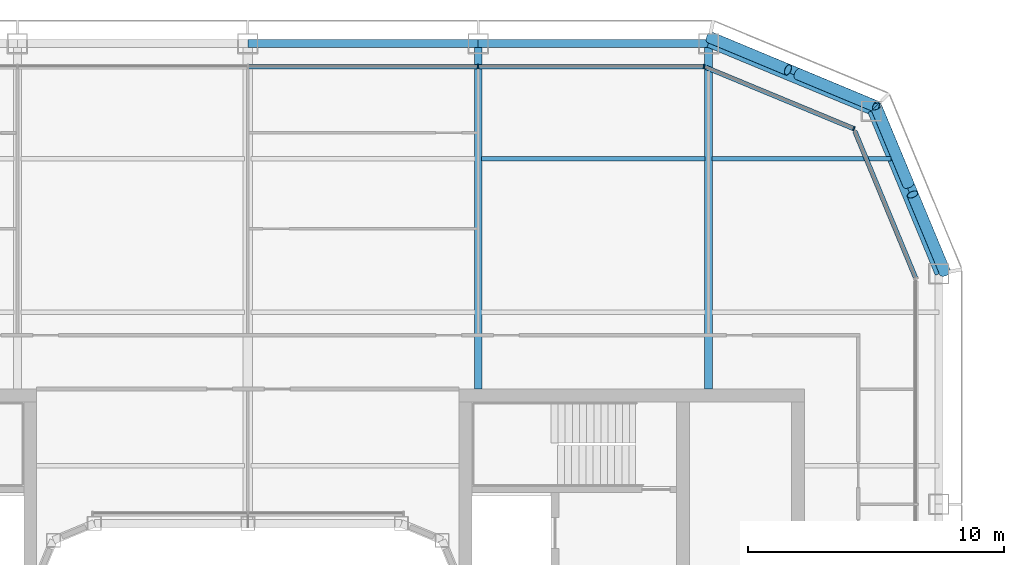
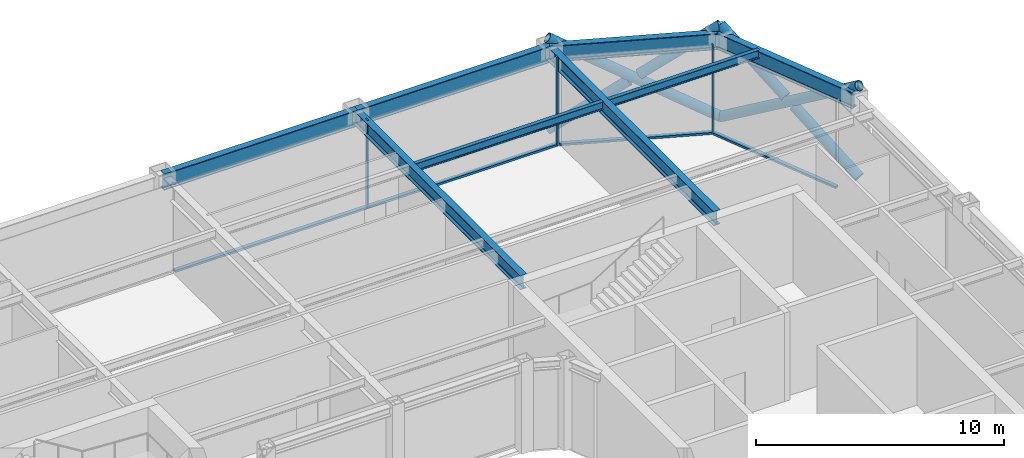
# One storey, part 10 of 23: 13 members, 8 beams, 3 elements without a shape of their own.
"""IFC4 building model written with IfcOpenShell, lengths in metres."""

from ifc_helpers import new_model, si_unit, direction, frame, origin, origin_2d, place, context, subcontext, project, spatial, rectangle, hollow_circle, i_section, extrude, material, layer, layer_set, material_profile, profile_set, type_object, element, aggregate, save


model = new_model("IFC4")

# Units and contexts
model_context = context("Model", 3, precision=1e-05, world=origin(), true_north=direction((0.0, 1.0)))
body_context = subcontext(model_context, "Body", "Model", "MODEL_VIEW")
ifc_project = project(units=[si_unit("LENGTHUNIT", "METRE"), si_unit("AREAUNIT", "SQUARE_METRE"), si_unit("VOLUMEUNIT", "CUBIC_METRE"), si_unit("PLANEANGLEUNIT", "RADIAN"), si_unit("MASSUNIT", "GRAM", prefix="KILO")], contexts=[model_context])

# Site, building, storey
site_placement = place(None, origin())
site = spatial("IfcSite", under=ifc_project, at=site_placement, CompositionType="ELEMENT")
building_placement = place(site_placement, origin())
building = spatial("IfcBuilding", under=site, at=building_placement, Name="Siwar Civic Tower", CompositionType="ELEMENT")
storey_placement = place(building_placement, frame((0.0, 0.0, 237.699951171875)))
storey = spatial("IfcBuildingStorey", under=building, at=storey_placement, Name="L51", CompositionType="ELEMENT", Elevation=237.699951171875)

# Curtain wall, member
ifc_material_1 = material(Name="Aluminium clad insulated panel", Category="aluminium")
ifc_layer_1 = layer(ifc_material_1, 0.179931640625)
ifc_layer_set_1 = layer_set([ifc_layer_1], Name="Aluminium clad insulated panel")
curtain_wall_type_1 = type_object("IfcCurtainWallType", Name="ENV-CW-CX", PredefinedType="NOTDEFINED", material=ifc_layer_set_1)
curtain_wall_1_placement = place(storey_placement, origin())
curtain_wall_1 = element("IfcCurtainWall", 1, at=curtain_wall_1_placement, inside=storey, type_object=curtain_wall_type_1, Name="Curtain wall C NE2", PredefinedType="NOTDEFINED")
ifc_material_2 = material(Name="Aluminium 6063-T6", Category="aluminium")
ifc_material_profile_1 = material_profile(ifc_material_2, rectangle(XDim=0.179931640625, YDim=0.06005859375, at=origin_2d()), Name="AL 180x60")
ifc_profile_set_1 = profile_set([ifc_material_profile_1], Name="Aluminium 6063-T6")
member_type_1 = type_object("IfcMemberType", Name="ENV-MULLION-C", PredefinedType="MULLION", material=ifc_profile_set_1)
member_1_placement = place(storey_placement, frame((23.675048828125, 23.675048828125, 0.0), z_axis=(0.0, 0.0, 1.0), x_axis=(-0.382683432365, -0.923879532511, 0.0)))
member_1 = element("IfcMember", 2, at=member_1_placement, type_object=member_type_1, Name="Mullion C NE2 1", PredefinedType="MULLION", context=body_context, shape_type="SweptSolid", body=[
    extrude(rectangle(XDim=0.179931640625, YDim=0.06005859375, at=origin_2d()), origin(), (0.0, 0.0, 1.0), 4.35009765625),
])

# Curtain wall, members
ifc_material_3 = material(Name="Aluminium and glass", Category="aluminium")
ifc_layer_2 = layer(ifc_material_3, 0.179931640625)
ifc_layer_set_2 = layer_set([ifc_layer_2], Name="Aluminium and glass")
curtain_wall_type_2 = type_object("IfcCurtainWallType", Name="ENV-CW-C", PredefinedType="NOTDEFINED", material=ifc_layer_set_2)
curtain_wall_2_placement = place(storey_placement, origin())
curtain_wall_2 = element("IfcCurtainWall", 3, at=curtain_wall_2_placement, inside=storey, type_object=curtain_wall_type_2, Name="Curtain wall C N", PredefinedType="NOTDEFINED")
member_2_placement = place(storey_placement, frame((17.821044921875, 26.10009765625, 0.0), z_axis=(0.0, 0.0, 1.0), x_axis=(0.0, -1.0, 0.0)))
member_2 = element("IfcMember", 4, at=member_2_placement, type_object=member_type_1, Name="Mullion C N 1", PredefinedType="MULLION", context=body_context, shape_type="SweptSolid", body=[
    extrude(rectangle(XDim=0.179931640625, YDim=0.06005859375, at=origin_2d()), origin(), (0.0, 0.0, 1.0), 4.35009765625),
])
member_3_placement = place(storey_placement, frame((9.0, 26.10009765625, 0.0), z_axis=(0.0, 0.0, 1.0), x_axis=(0.0, -1.0, 0.0)))
member_3 = element("IfcMember", 5, at=member_3_placement, type_object=member_type_1, Name="Mullion C N 2", PredefinedType="MULLION", context=body_context, shape_type="SweptSolid", body=[
    extrude(rectangle(XDim=0.179931640625, YDim=0.06005859375, at=origin_2d()), origin(), (0.0, 0.0, 1.0), 4.35009765625),
])

# Curtain wall, member
curtain_wall_3_placement = place(storey_placement, origin())
curtain_wall_3 = element("IfcCurtainWall", 6, at=curtain_wall_3_placement, inside=storey, type_object=curtain_wall_type_1, Name="Curtain wall C NE1", PredefinedType="NOTDEFINED")
ifc_material_4 = material(Name="Aluminium 6063-T6", Category="aluminium")
ifc_material_profile_2 = material_profile(ifc_material_4, rectangle(XDim=0.179931640625, YDim=0.10009765625, at=origin_2d()), Name="AL 180x100")
ifc_profile_set_2 = profile_set([ifc_material_profile_2], Name="Aluminium 6063-T6")
member_type_2 = type_object("IfcMemberType", Name="ENV-TRANSOM-C", PredefinedType="USERDEFINED", material=ifc_profile_set_2)
member_4_placement = place(storey_placement, frame((26.088623046875, 17.8486328125, 0.050048828125), z_axis=(-0.38267744817, 0.923882011223, 0.0), x_axis=(-0.923882011223, -0.38267744817, 0.0)))
member_4 = element("IfcMember", 7, at=member_4_placement, type_object=member_type_2, Name="Transom C NE1 1", ObjectType="TRANSOM", PredefinedType="USERDEFINED", context=body_context, shape_type="SweptSolid", body=[
    extrude(rectangle(XDim=0.179931640625, YDim=0.10009765625, at=origin_2d()), origin(), (0.0, 0.0, 1.0), 6.201904296875),
])
aggregate(curtain_wall_3, [member_4])

# Member
member_5_placement = place(storey_placement, frame((23.6474609375, 23.6865234375, 0.050048828125), z_axis=(-0.923876246063, 0.382691366456, 0.0), x_axis=(-0.382691366456, -0.923876246063, 0.0)))
member_5 = element("IfcMember", 8, at=member_5_placement, type_object=member_type_2, Name="Transom C NE2 1", ObjectType="TRANSOM", PredefinedType="USERDEFINED", context=body_context, shape_type="SweptSolid", body=[
    extrude(rectangle(XDim=0.179931640625, YDim=0.10009765625, at=origin_2d()), origin(), (0.0, 0.0, 1.0), 6.20166015625),
])

aggregate(curtain_wall_1, [member_1, member_5])

member_6_placement = place(storey_placement, frame((17.791015625, 26.10009765625, 0.050048828125), z_axis=(-1.0, 0.0, 0.0), x_axis=(0.0, -1.0, 0.0)))
member_6 = element("IfcMember", 9, at=member_6_placement, type_object=member_type_2, Name="Transom C N 1", ObjectType="TRANSOM", PredefinedType="USERDEFINED", context=body_context, shape_type="SweptSolid", body=[
    extrude(rectangle(XDim=0.179931640625, YDim=0.10009765625, at=origin_2d()), origin(), (0.0, 0.0, 1.0), 8.760986328125),
])

member_7_placement = place(storey_placement, frame((8.969970703125, 26.10009765625, 0.050048828125), z_axis=(-1.0, 0.0, 0.0), x_axis=(0.0, -1.0, 0.0)))
member_7 = element("IfcMember", 10, at=member_7_placement, type_object=member_type_2, Name="Transom C N 2", ObjectType="TRANSOM", PredefinedType="USERDEFINED", context=body_context, shape_type="SweptSolid", body=[
    extrude(rectangle(XDim=0.179931640625, YDim=0.10009765625, at=origin_2d()), origin(), (0.0, 0.0, 1.0), 8.93994140625),
])

aggregate(curtain_wall_2, [member_2, member_3, member_6, member_7])

# Members
ifc_material_5 = material(Name="Steel S355", Category="steel")
ifc_material_profile_3 = material_profile(ifc_material_5, hollow_circle(Radius=0.228515625, WallThickness=0.02001953125, at=origin_2d()), Name="CHS457x20")
ifc_profile_set_3 = profile_set([ifc_material_profile_3], Name="Steel S355")
member_type_3 = type_object("IfcMemberType", Name="STR-BR-CHS457x20", PredefinedType="BRACE", material=ifc_profile_set_3)
member_8_placement = place(storey_placement, frame((24.540771484375, 24.540771484375, 0.0), z_axis=(-0.777554562952, 0.323905527954, 0.538975055633), x_axis=(-0.384538969033, -0.923108759191, 0.0)))
element("IfcMember", 11, at=member_8_placement, inside=storey, type_object=member_type_3, Name="L51/brc/CNE1-11-0-1", PredefinedType="BRACE", context=body_context, shape_type="SweptSolid", body=[
    extrude(hollow_circle(Radius=0.228515625, WallThickness=0.02001953125, at=origin_2d()), origin(), (0.0, 0.0, 1.0), 8.34912109375),
])
for number, where, z_axis, x_axis, name in (
    (12, (18.048828125, 27.2451171875, 0.0), (0.777546448489, -0.323884455881, 0.538999424564), (0.38452107079, 0.92311621485, 0.0), "L51/brc/CNE1-11-0-2"),
    (13, (21.486572265625, 25.81298828125, 2.383056640625), (0.777572496853, -0.323895306243, 0.538955325357), (0.38452107079, 0.92311621485, 0.0), "L51/brc/CNE1-11-0-3"),
):
    element("IfcMember", number, at=place(storey_placement, frame(where, z_axis=z_axis, x_axis=x_axis)), inside=storey, type_object=member_type_3, Name=name, PredefinedType="BRACE", context=body_context, shape_type="SweptSolid", body=[
        extrude(hollow_circle(Radius=0.228515625, WallThickness=0.02001953125, at=origin_2d()), origin(), (0.0, 0.0, 1.0), 3.927978515625),
    ])
member_9_placement = place(storey_placement, frame((24.540771484375, 24.540771484375, 0.0), z_axis=(0.323905527954, -0.777554562952, 0.538975055633), x_axis=(0.923108759191, 0.384538969033, 0.0)))
element("IfcMember", 14, at=member_9_placement, inside=storey, type_object=member_type_3, Name="L51/brc/CNE1-11-0-0", PredefinedType="BRACE", context=body_context, shape_type="SweptSolid", body=[
    extrude(hollow_circle(Radius=0.228515625, WallThickness=0.02001953125, at=origin_2d()), origin(), (0.0, 0.0, 1.0), 8.34912109375),
])
for number, where, z_axis, x_axis, name in (
    (15, (27.2451171875, 18.048828125, 0.0), (-0.323884455881, 0.777546448489, 0.538999424564), (-0.92311621485, -0.38452107079, 0.0), "L51/brc/CNE1-11-0-4"),
    (16, (25.81298828125, 21.486572265625, 2.383056640625), (-0.323895306243, 0.777572496853, 0.538955325357), (-0.92311621485, -0.38452107079, 0.0), "L51/brc/CNE1-11-0-5"),
):
    element("IfcMember", number, at=place(storey_placement, frame(where, z_axis=z_axis, x_axis=x_axis)), inside=storey, type_object=member_type_3, Name=name, PredefinedType="BRACE", context=body_context, shape_type="SweptSolid", body=[
        extrude(hollow_circle(Radius=0.228515625, WallThickness=0.02001953125, at=origin_2d()), origin(), (0.0, 0.0, 1.0), 3.927978515625),
    ])

# Beams
ifc_material_6 = material(Name="Steel S355", Category="steel")
ifc_material_profile_4 = material_profile(ifc_material_6, i_section(OverallWidth=0.179931640625, OverallDepth=0.39990234375, WebThickness=0.008544921875, FlangeThickness=0.013427734375, FilletRadius=0.02099609375, at=origin_2d()), Name="IPE400")
ifc_profile_set_4 = profile_set([ifc_material_profile_4], Name="Steel S355")
beam_type_1 = type_object("IfcBeamType", Name="STR-FB-IPE400", PredefinedType="JOIST", material=ifc_profile_set_4)
beam_1_placement = place(storey_placement, frame((9.1298828125, 22.5, 4.150146484375), z_axis=(1.0, 0.0, 0.0), x_axis=(0.0, 1.0, 0.0)))
element("IfcBeam", 17, at=beam_1_placement, inside=storey, type_object=beam_type_1, Name="L51/bm/F041", PredefinedType="JOIST", context=body_context, shape_type="SweptSolid", body=[
    extrude(i_section(OverallWidth=0.179931640625, OverallDepth=0.39990234375, WebThickness=0.008544921875, FlangeThickness=0.013427734375, FilletRadius=0.02099609375, at=origin_2d()), origin(), (0.0, 0.0, 1.0), 8.740234375),
])
beam_2_placement = place(storey_placement, frame((18.1298828125, 22.5, 4.150146484375), z_axis=(1.0, 0.0, 0.0), x_axis=(0.0, 1.0, 0.0)))
element("IfcBeam", 18, at=beam_2_placement, inside=storey, type_object=beam_type_1, Name="L51/bm/F042", PredefinedType="JOIST", context=body_context, shape_type="SweptSolid", body=[
    extrude(i_section(OverallWidth=0.179931640625, OverallDepth=0.39990234375, WebThickness=0.008544921875, FlangeThickness=0.013427734375, FilletRadius=0.02099609375, at=origin_2d()), origin(), (0.0, 0.0, 1.0), 7.006103515625),
])
ifc_material_7 = material(Name="Steel S355", Category="steel")
ifc_material_profile_5 = material_profile(ifc_material_7, i_section(OverallWidth=0.300048828125, OverallDepth=0.699951171875, WebThickness=0.01708984375, FlangeThickness=0.031982421875, FilletRadius=0.027099609375, at=origin_2d()), Name="HEB700")
ifc_profile_set_5 = profile_set([ifc_material_profile_5], Name="Steel S355")
beam_type_2 = type_object("IfcBeamType", Name="STR-PG-HEB700", PredefinedType="BEAM", material=ifc_profile_set_5)
for number, where, z_axis, x_axis, name in (
    (19, (9.0, 13.5, 4.0), (0.0, 1.0, 0.0), (-1.0, 0.0, 0.0), "L51/bm/G08"),
    (20, (18.0, 13.5, 4.0), (0.0, 1.0, 0.0), (-1.0, 0.0, 0.0), "L51/bm/G10"),
):
    element("IfcBeam", number, at=place(storey_placement, frame(where, z_axis=z_axis, x_axis=x_axis)), inside=storey, type_object=beam_type_2, Name=name, PredefinedType="BEAM", context=body_context, shape_type="SweptSolid", body=[
        extrude(i_section(OverallWidth=0.300048828125, OverallDepth=0.699951171875, WebThickness=0.01708984375, FlangeThickness=0.031982421875, FilletRadius=0.027099609375, at=origin_2d()), origin(), (0.0, 0.0, 1.0), 13.5),
    ])
ifc_material_8 = material(Name="Steel S355", Category="steel")
ifc_material_profile_6 = material_profile(ifc_material_8, i_section(OverallWidth=0.300048828125, OverallDepth=0.800048828125, WebThickness=0.017578125, FlangeThickness=0.032958984375, FilletRadius=0.030029296875, at=origin_2d()), Name="HEB800")
ifc_profile_set_6 = profile_set([ifc_material_profile_6], Name="Steel S355")
beam_type_3 = type_object("IfcBeamType", Name="STR-SB-HEB800", PredefinedType="BEAM", material=ifc_profile_set_6)
for number, where, z_axis, x_axis, name in (
    (21, (27.0, 18.0, 3.949951171875), (-0.382674207535, 0.923883353507, 0.0), (-0.923883353507, -0.382674207535, 0.0), "L51/bm/SNE1-0"),
    (22, (24.364013671875, 24.364013671875, 3.949951171875), (-0.923883353507, 0.382674207535, 0.0), (-0.382674207535, -0.923883353507, 0.0), "L51/bm/SNE2-0"),
):
    element("IfcBeam", number, at=place(storey_placement, frame(where, z_axis=z_axis, x_axis=x_axis)), inside=storey, type_object=beam_type_3, Name=name, PredefinedType="BEAM", context=body_context, shape_type="SweptSolid", body=[
        extrude(i_section(OverallWidth=0.300048828125, OverallDepth=0.800048828125, WebThickness=0.017578125, FlangeThickness=0.032958984375, FilletRadius=0.030029296875, at=origin_2d()), origin(), (0.0, 0.0, 1.0), 6.888427734375),
    ])
for number, where, z_axis, x_axis, name in (
    (23, (18.0, 27.0, 3.949951171875), (-1.0, 0.0, 0.0), (0.0, -1.0, 0.0), "L51/bm/SN-0"),
    (24, (9.0, 27.0, 3.949951171875), (-1.0, 0.0, 0.0), (0.0, -1.0, 0.0), "L51/bm/SN-1"),
):
    element("IfcBeam", number, at=place(storey_placement, frame(where, z_axis=z_axis, x_axis=x_axis)), inside=storey, type_object=beam_type_3, Name=name, PredefinedType="BEAM", context=body_context, shape_type="SweptSolid", body=[
        extrude(i_section(OverallWidth=0.300048828125, OverallDepth=0.800048828125, WebThickness=0.017578125, FlangeThickness=0.032958984375, FilletRadius=0.030029296875, at=origin_2d()), origin(), (0.0, 0.0, 1.0), 9.0),
    ])

save(model, "model.ifc")
